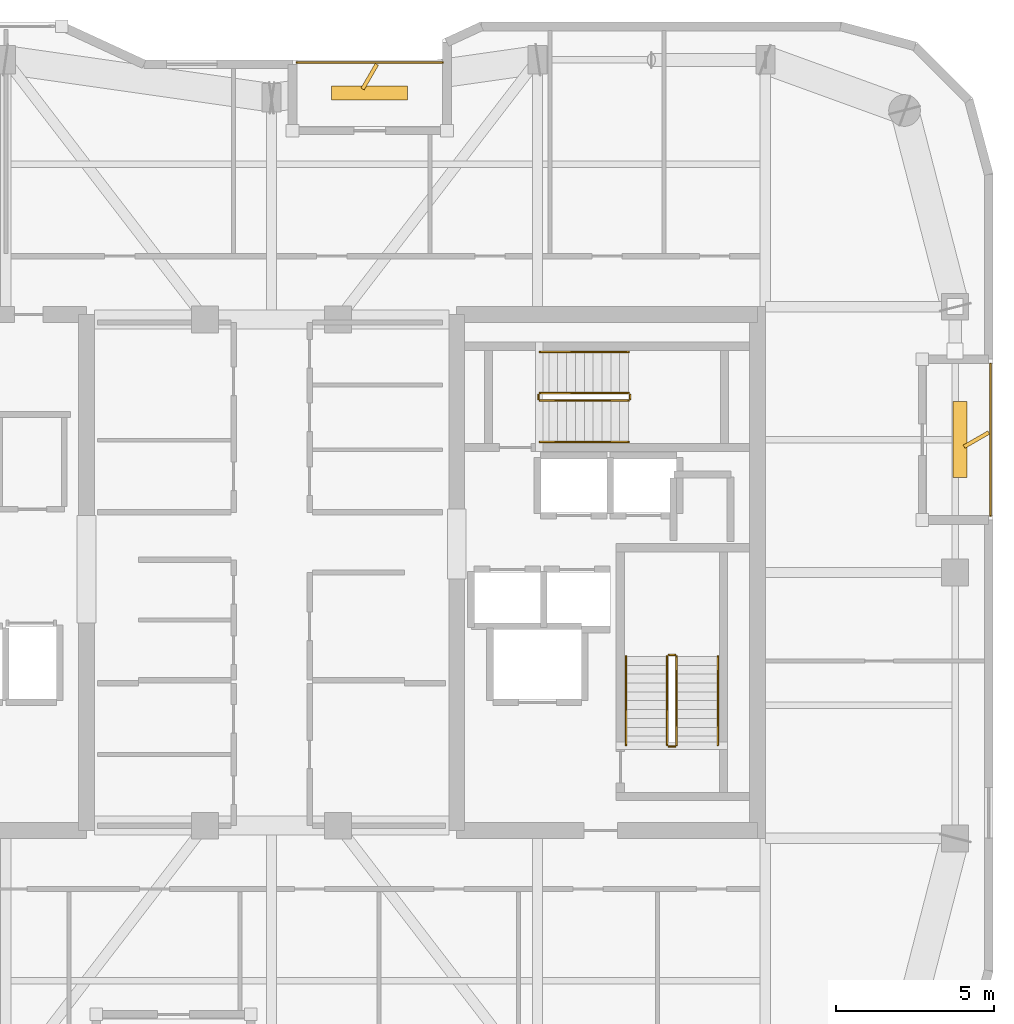
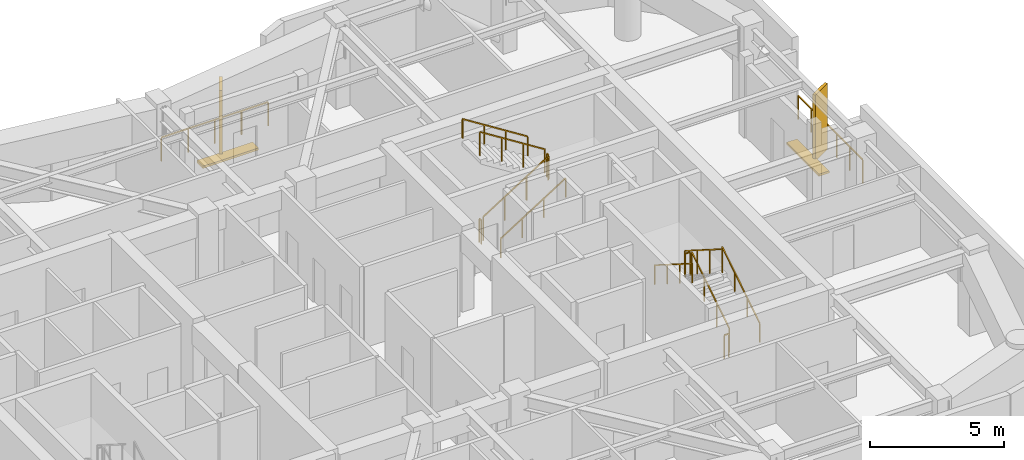
# One storey, part 16 of 16: 14 railings, 4 shading devices.
"""IFC4 building model written with IfcOpenShell, lengths in metres."""

from ifc_helpers import new_model, si_unit, direction, frame, origin, origin_2d, place, context, subcontext, project, spatial, rectangle, extrude, material, type_object, element, save


model = new_model("IFC4")

# Units and contexts
model_context = context("Model", 3, precision=1e-05, world=origin(), true_north=direction((0.0, 1.0)))
body_context = subcontext(model_context, "Body", "Model", "MODEL_VIEW")
ifc_project = project(units=[si_unit("LENGTHUNIT", "METRE"), si_unit("AREAUNIT", "SQUARE_METRE"), si_unit("VOLUMEUNIT", "CUBIC_METRE"), si_unit("PLANEANGLEUNIT", "RADIAN"), si_unit("MASSUNIT", "GRAM", prefix="KILO")], contexts=[model_context])

# Site, building, storey
site_placement = place(None, origin())
site = spatial("IfcSite", under=ifc_project, at=site_placement, CompositionType="ELEMENT")
building_placement = place(site_placement, origin())
building = spatial("IfcBuilding", under=site, at=building_placement, Name="Kiyonajd Concourse Tower", CompositionType="ELEMENT")
storey_placement = place(building_placement, frame((0.0, 0.0, 306.300048828125)))
storey = spatial("IfcBuildingStorey", under=building, at=storey_placement, Name="L77", CompositionType="ELEMENT", Elevation=306.300048828125)

# Railings
ifc_material_1 = material(Name="Thermally Broken Anodised Aluminium", Category="aluminium")
railing_type_1 = type_object("IfcRailingType", Name="RL-GRD-LOG", PredefinedType="GUARDRAIL", material=ifc_material_1)
railing_1_placement = place(storey_placement, frame((53.39990234375, 52.1201171875, 0.0)))
element("IfcRailing", 1, at=railing_1_placement, inside=storey, type_object=railing_type_1, Name="L77 Engawa Loggia Perimeter Guard LOG-N", PredefinedType="GUARDRAIL", context=body_context, shape_type="SweptSolid", body=[
    extrude(rectangle(XDim=0.048095703125, YDim=0.048095703125, at=origin_2d()), frame((0.0, 0.0, 1.076171875), z_axis=(-1.0, 0.0, 0.0), x_axis=(0.0, -1.0, 0.0)), (0.0, 0.0, 1.0), 4.599853515625),
    extrude(rectangle(XDim=0.0419921875, YDim=0.0419921875, at=origin_2d()), origin(), (0.0, 0.0, 1.0), 1.052001953125),
    extrude(rectangle(XDim=0.0419921875, YDim=0.0419921875, at=origin_2d()), frame((-1.14990234375, 0.0, 0.0)), (0.0, 0.0, 1.0), 1.052001953125),
    extrude(rectangle(XDim=0.0419921875, YDim=0.0419921875, at=origin_2d()), frame((-2.2998046875, 0.0, 0.0)), (0.0, 0.0, 1.0), 1.052001953125),
    extrude(rectangle(XDim=0.0419921875, YDim=0.0419921875, at=origin_2d()), frame((-3.449951171875, 0.0, 0.0)), (0.0, 0.0, 1.0), 1.052001953125),
    extrude(rectangle(XDim=0.0419921875, YDim=0.0419921875, at=origin_2d()), frame((-4.599853515625, 0.0, 0.0)), (0.0, 0.0, 1.0), 1.052001953125),
])
railing_2_placement = place(storey_placement, frame((70.719970703125, 37.800048828125, 0.0)))
element("IfcRailing", 2, at=railing_2_placement, inside=storey, type_object=railing_type_1, Name="L77 Engawa Loggia Perimeter Guard LOG-E", PredefinedType="GUARDRAIL", context=body_context, shape_type="SweptSolid", body=[
    extrude(rectangle(XDim=0.048095703125, YDim=0.048095703125, at=origin_2d()), frame((0.0, 0.0, 1.076171875), z_axis=(0.0, 1.0, 0.0), x_axis=(-1.0, 0.0, 0.0)), (0.0, 0.0, 1.0), 4.800048828125),
    extrude(rectangle(XDim=0.0419921875, YDim=0.0419921875, at=origin_2d()), origin(), (0.0, 0.0, 1.0), 1.052001953125),
    extrude(rectangle(XDim=0.0419921875, YDim=0.0419921875, at=origin_2d()), frame((0.0, 0.9599609375, 0.0)), (0.0, 0.0, 1.0), 1.052001953125),
    extrude(rectangle(XDim=0.0419921875, YDim=0.0419921875, at=origin_2d()), frame((0.0, 1.919921875, 0.0)), (0.0, 0.0, 1.0), 1.052001953125),
    extrude(rectangle(XDim=0.0419921875, YDim=0.0419921875, at=origin_2d()), frame((0.0, 2.880126953125, 0.0)), (0.0, 0.0, 1.0), 1.052001953125),
    extrude(rectangle(XDim=0.0419921875, YDim=0.0419921875, at=origin_2d()), frame((0.0, 3.840087890625, 0.0)), (0.0, 0.0, 1.0), 1.052001953125),
    extrude(rectangle(XDim=0.0419921875, YDim=0.0419921875, at=origin_2d()), frame((0.0, 4.800048828125, 0.0)), (0.0, 0.0, 1.0), 1.052001953125),
])
ifc_material_2 = material(Name="Steel ASTM A500 Grade C", Category="steel")
railing_type_2 = type_object("IfcRailingType", Name="RL-GRD-STR", PredefinedType="GUARDRAIL", material=ifc_material_2)
railing_3_placement = place(storey_placement, frame((60.800048828125, 30.550048828125, 0.17724609375)))
element("IfcRailing", 3, at=railing_3_placement, inside=storey, type_object=railing_type_2, Name="L77 ST2 stair guard 1", PredefinedType="GUARDRAIL", context=body_context, shape_type="SweptSolid", body=[
    extrude(rectangle(XDim=0.048095703125, YDim=0.048095703125, at=origin_2d()), frame((0.0, 0.0, 1.076171875), z_axis=(0.0, 0.844908973607, 0.534910110503), x_axis=(-1.0, 0.0, 0.0)), (0.0, 0.0, 1.0), 3.31396484375),
    extrude(rectangle(XDim=0.0419921875, YDim=0.0419921875, at=origin_2d()), origin(), (0.0, 0.0, 1.0), 1.052001953125),
    extrude(rectangle(XDim=0.0419921875, YDim=0.0419921875, at=origin_2d()), frame((0.0, 0.933349609375, 0.5908203125)), (0.0, 0.0, 1.0), 1.052001953125),
    extrude(rectangle(XDim=0.0419921875, YDim=0.0419921875, at=origin_2d()), frame((0.0, 1.86669921875, 1.181884765625)), (0.0, 0.0, 1.0), 1.052001953125),
    extrude(rectangle(XDim=0.0419921875, YDim=0.0419921875, at=origin_2d()), frame((0.0, 2.800048828125, 1.772705078125)), (0.0, 0.0, 1.0), 1.052001953125),
])
railing_4_placement = place(storey_placement, frame((60.75, 33.39990234375, 1.949951171875)))
element("IfcRailing", 4, at=railing_4_placement, inside=storey, type_object=railing_type_2, Name="L77 ST2 stair guard 2", PredefinedType="GUARDRAIL", context=body_context, shape_type="SweptSolid", body=[
    extrude(rectangle(XDim=0.048095703125, YDim=0.048095703125, at=origin_2d()), frame((0.0, 0.0, 1.076171875), z_axis=(-1.0, 0.0, 0.0), x_axis=(0.0, -1.0, 0.0)), (0.0, 0.0, 1.0), 0.199951171875),
    extrude(rectangle(XDim=0.0419921875, YDim=0.0419921875, at=origin_2d()), origin(), (0.0, 0.0, 1.0), 1.052001953125),
    extrude(rectangle(XDim=0.0419921875, YDim=0.0419921875, at=origin_2d()), frame((-0.199951171875, 0.0, 0.0)), (0.0, 0.0, 1.0), 1.052001953125),
])
railing_5_placement = place(storey_placement, frame((60.5, 33.35009765625, 2.127197265625)))
element("IfcRailing", 5, at=railing_5_placement, inside=storey, type_object=railing_type_2, Name="L77 ST2 stair guard 3", PredefinedType="GUARDRAIL", context=body_context, shape_type="SweptSolid", body=[
    extrude(rectangle(XDim=0.048095703125, YDim=0.048095703125, at=origin_2d()), frame((0.0, 0.0, 1.076171875), z_axis=(0.0, -0.844908973607, 0.534910110503), x_axis=(1.0, 0.0, 0.0)), (0.0, 0.0, 1.0), 3.31396484375),
    extrude(rectangle(XDim=0.0419921875, YDim=0.0419921875, at=origin_2d()), origin(), (0.0, 0.0, 1.0), 1.052001953125),
    extrude(rectangle(XDim=0.0419921875, YDim=0.0419921875, at=origin_2d()), frame((0.0, -0.933349609375, 0.5908203125)), (0.0, 0.0, 1.0), 1.052001953125),
    extrude(rectangle(XDim=0.0419921875, YDim=0.0419921875, at=origin_2d()), frame((0.0, -1.86669921875, 1.181884765625)), (0.0, 0.0, 1.0), 1.052001953125),
    extrude(rectangle(XDim=0.0419921875, YDim=0.0419921875, at=origin_2d()), frame((0.0, -2.800048828125, 1.772705078125)), (0.0, 0.0, 1.0), 1.052001953125),
])
railing_6_placement = place(storey_placement, frame((60.75, 30.5, 0.0)))
element("IfcRailing", 6, at=railing_6_placement, inside=storey, type_object=railing_type_2, Name="L77 ST2 stair guard 4", PredefinedType="GUARDRAIL", context=body_context, shape_type="SweptSolid", body=[
    extrude(rectangle(XDim=0.048095703125, YDim=0.048095703125, at=origin_2d()), frame((0.0, 0.0, 1.076171875), z_axis=(-1.0, 0.0, 0.0), x_axis=(0.0, -1.0, 0.0)), (0.0, 0.0, 1.0), 0.199951171875),
    extrude(rectangle(XDim=0.0419921875, YDim=0.0419921875, at=origin_2d()), origin(), (0.0, 0.0, 1.0), 1.052001953125),
    extrude(rectangle(XDim=0.0419921875, YDim=0.0419921875, at=origin_2d()), frame((-0.199951171875, 0.0, 0.0)), (0.0, 0.0, 1.0), 1.052001953125),
])
railing_7_placement = place(storey_placement, frame((56.47998046875, 41.429931640625, 0.17724609375)))
element("IfcRailing", 7, at=railing_7_placement, inside=storey, type_object=railing_type_2, Name="L77 ST3 stair guard 1", PredefinedType="GUARDRAIL", context=body_context, shape_type="SweptSolid", body=[
    extrude(rectangle(XDim=0.048095703125, YDim=0.048095703125, at=origin_2d()), frame((0.0, 0.0, 1.076171875), z_axis=(0.844908973607, 0.0, 0.534910110503), x_axis=(0.0, 1.0, 0.0)), (0.0, 0.0, 1.0), 3.31396484375),
    extrude(rectangle(XDim=0.0419921875, YDim=0.0419921875, at=origin_2d()), origin(), (0.0, 0.0, 1.0), 1.052001953125),
    extrude(rectangle(XDim=0.0419921875, YDim=0.0419921875, at=origin_2d()), frame((0.933349609375, 0.0, 0.5908203125)), (0.0, 0.0, 1.0), 1.052001953125),
    extrude(rectangle(XDim=0.0419921875, YDim=0.0419921875, at=origin_2d()), frame((1.86669921875, 0.0, 1.181884765625)), (0.0, 0.0, 1.0), 1.052001953125),
    extrude(rectangle(XDim=0.0419921875, YDim=0.0419921875, at=origin_2d()), frame((2.800048828125, 0.0, 1.772705078125)), (0.0, 0.0, 1.0), 1.052001953125),
])
railing_8_placement = place(storey_placement, frame((59.330078125, 41.47998046875, 1.949951171875)))
element("IfcRailing", 8, at=railing_8_placement, inside=storey, type_object=railing_type_2, Name="L77 ST3 stair guard 2", PredefinedType="GUARDRAIL", context=body_context, shape_type="SweptSolid", body=[
    extrude(rectangle(XDim=0.048095703125, YDim=0.048095703125, at=origin_2d()), frame((0.0, 0.0, 1.076171875), z_axis=(0.0, 1.0, 0.0), x_axis=(-1.0, 0.0, 0.0)), (0.0, 0.0, 1.0), 0.14013671875),
    extrude(rectangle(XDim=0.0419921875, YDim=0.0419921875, at=origin_2d()), origin(), (0.0, 0.0, 1.0), 1.052001953125),
    extrude(rectangle(XDim=0.0419921875, YDim=0.0419921875, at=origin_2d()), frame((0.0, 0.14013671875, 0.0)), (0.0, 0.0, 1.0), 1.052001953125),
])
railing_9_placement = place(storey_placement, frame((59.280029296875, 41.669921875, 2.127197265625)))
element("IfcRailing", 9, at=railing_9_placement, inside=storey, type_object=railing_type_2, Name="L77 ST3 stair guard 3", PredefinedType="GUARDRAIL", context=body_context, shape_type="SweptSolid", body=[
    extrude(rectangle(XDim=0.048095703125, YDim=0.048095703125, at=origin_2d()), frame((0.0, 0.0, 1.076171875), z_axis=(-0.844908973607, 0.0, 0.534910110503), x_axis=(0.0, -1.0, 0.0)), (0.0, 0.0, 1.0), 3.31396484375),
    extrude(rectangle(XDim=0.0419921875, YDim=0.0419921875, at=origin_2d()), origin(), (0.0, 0.0, 1.0), 1.052001953125),
    extrude(rectangle(XDim=0.0419921875, YDim=0.0419921875, at=origin_2d()), frame((-0.933349609375, 0.0, 0.5908203125)), (0.0, 0.0, 1.0), 1.052001953125),
    extrude(rectangle(XDim=0.0419921875, YDim=0.0419921875, at=origin_2d()), frame((-1.86669921875, 0.0, 1.181884765625)), (0.0, 0.0, 1.0), 1.052001953125),
    extrude(rectangle(XDim=0.0419921875, YDim=0.0419921875, at=origin_2d()), frame((-2.800048828125, 0.0, 1.772705078125)), (0.0, 0.0, 1.0), 1.052001953125),
])
railing_10_placement = place(storey_placement, frame((56.429931640625, 41.47998046875, 0.0)))
element("IfcRailing", 10, at=railing_10_placement, inside=storey, type_object=railing_type_2, Name="L77 ST3 stair guard 4", PredefinedType="GUARDRAIL", context=body_context, shape_type="SweptSolid", body=[
    extrude(rectangle(XDim=0.048095703125, YDim=0.048095703125, at=origin_2d()), frame((0.0, 0.0, 1.076171875), z_axis=(0.0, 1.0, 0.0), x_axis=(-1.0, 0.0, 0.0)), (0.0, 0.0, 1.0), 0.14013671875),
    extrude(rectangle(XDim=0.0419921875, YDim=0.0419921875, at=origin_2d()), origin(), (0.0, 0.0, 1.0), 1.052001953125),
    extrude(rectangle(XDim=0.0419921875, YDim=0.0419921875, at=origin_2d()), frame((0.0, 0.14013671875, 0.0)), (0.0, 0.0, 1.0), 1.052001953125),
])
ifc_material_3 = material(Name="Brushed Stainless Steel Cab Assembly", Category="steel")
railing_type_3 = type_object("IfcRailingType", Name="RL-HND-900", PredefinedType="HANDRAIL", material=ifc_material_3)
railing_11_placement = place(storey_placement, frame((62.10009765625, 30.550048828125, 0.17724609375)))
element("IfcRailing", 11, at=railing_11_placement, inside=storey, type_object=railing_type_3, Name="L77 ST2 stair handrail 1", PredefinedType="HANDRAIL", context=body_context, shape_type="SweptSolid", body=[
    extrude(rectangle(XDim=0.048095703125, YDim=0.048095703125, at=origin_2d()), frame((0.0, 0.0, 0.8759765625), z_axis=(0.0, 0.844908973607, 0.534910110503), x_axis=(-1.0, 0.0, 0.0)), (0.0, 0.0, 1.0), 3.31396484375),
    extrude(rectangle(XDim=0.0419921875, YDim=0.0419921875, at=origin_2d()), origin(), (0.0, 0.0, 1.0), 0.851806640625),
    extrude(rectangle(XDim=0.0419921875, YDim=0.0419921875, at=origin_2d()), frame((0.0, 0.933349609375, 0.5908203125)), (0.0, 0.0, 1.0), 0.851806640625),
    extrude(rectangle(XDim=0.0419921875, YDim=0.0419921875, at=origin_2d()), frame((0.0, 1.86669921875, 1.181884765625)), (0.0, 0.0, 1.0), 0.851806640625),
    extrude(rectangle(XDim=0.0419921875, YDim=0.0419921875, at=origin_2d()), frame((0.0, 2.800048828125, 1.772705078125)), (0.0, 0.0, 1.0), 0.851806640625),
])
railing_12_placement = place(storey_placement, frame((59.199951171875, 33.35009765625, 2.127197265625)))
element("IfcRailing", 12, at=railing_12_placement, inside=storey, type_object=railing_type_3, Name="L77 ST2 stair handrail 2", PredefinedType="HANDRAIL", context=body_context, shape_type="SweptSolid", body=[
    extrude(rectangle(XDim=0.048095703125, YDim=0.048095703125, at=origin_2d()), frame((0.0, 0.0, 0.8759765625), z_axis=(0.0, -0.844908973607, 0.534910110503), x_axis=(1.0, 0.0, 0.0)), (0.0, 0.0, 1.0), 3.31396484375),
    extrude(rectangle(XDim=0.0419921875, YDim=0.0419921875, at=origin_2d()), origin(), (0.0, 0.0, 1.0), 0.851806640625),
    extrude(rectangle(XDim=0.0419921875, YDim=0.0419921875, at=origin_2d()), frame((0.0, -0.933349609375, 0.5908203125)), (0.0, 0.0, 1.0), 0.851806640625),
    extrude(rectangle(XDim=0.0419921875, YDim=0.0419921875, at=origin_2d()), frame((0.0, -1.86669921875, 1.181884765625)), (0.0, 0.0, 1.0), 0.851806640625),
    extrude(rectangle(XDim=0.0419921875, YDim=0.0419921875, at=origin_2d()), frame((0.0, -2.800048828125, 1.772705078125)), (0.0, 0.0, 1.0), 0.851806640625),
])
railing_13_placement = place(storey_placement, frame((56.47998046875, 40.1298828125, 0.17724609375)))
element("IfcRailing", 13, at=railing_13_placement, inside=storey, type_object=railing_type_3, Name="L77 ST3 stair handrail 1", PredefinedType="HANDRAIL", context=body_context, shape_type="SweptSolid", body=[
    extrude(rectangle(XDim=0.048095703125, YDim=0.048095703125, at=origin_2d()), frame((0.0, 0.0, 0.8759765625), z_axis=(0.844908973607, 0.0, 0.534910110503), x_axis=(0.0, 1.0, 0.0)), (0.0, 0.0, 1.0), 3.31396484375),
    extrude(rectangle(XDim=0.0419921875, YDim=0.0419921875, at=origin_2d()), origin(), (0.0, 0.0, 1.0), 0.851806640625),
    extrude(rectangle(XDim=0.0419921875, YDim=0.0419921875, at=origin_2d()), frame((0.933349609375, 0.0, 0.5908203125)), (0.0, 0.0, 1.0), 0.851806640625),
    extrude(rectangle(XDim=0.0419921875, YDim=0.0419921875, at=origin_2d()), frame((1.86669921875, 0.0, 1.181884765625)), (0.0, 0.0, 1.0), 0.851806640625),
    extrude(rectangle(XDim=0.0419921875, YDim=0.0419921875, at=origin_2d()), frame((2.800048828125, 0.0, 1.772705078125)), (0.0, 0.0, 1.0), 0.851806640625),
])
railing_14_placement = place(storey_placement, frame((59.280029296875, 42.969970703125, 2.127197265625)))
element("IfcRailing", 14, at=railing_14_placement, inside=storey, type_object=railing_type_3, Name="L77 ST3 stair handrail 2", PredefinedType="HANDRAIL", context=body_context, shape_type="SweptSolid", body=[
    extrude(rectangle(XDim=0.048095703125, YDim=0.048095703125, at=origin_2d()), frame((0.0, 0.0, 0.8759765625), z_axis=(-0.844908973607, 0.0, 0.534910110503), x_axis=(0.0, -1.0, 0.0)), (0.0, 0.0, 1.0), 3.31396484375),
    extrude(rectangle(XDim=0.0419921875, YDim=0.0419921875, at=origin_2d()), origin(), (0.0, 0.0, 1.0), 0.851806640625),
    extrude(rectangle(XDim=0.0419921875, YDim=0.0419921875, at=origin_2d()), frame((-0.933349609375, 0.0, 0.5908203125)), (0.0, 0.0, 1.0), 0.851806640625),
    extrude(rectangle(XDim=0.0419921875, YDim=0.0419921875, at=origin_2d()), frame((-1.86669921875, 0.0, 1.181884765625)), (0.0, 0.0, 1.0), 0.851806640625),
    extrude(rectangle(XDim=0.0419921875, YDim=0.0419921875, at=origin_2d()), frame((-2.800048828125, 0.0, 1.772705078125)), (0.0, 0.0, 1.0), 0.851806640625),
])

# Shading devices
ifc_material_4 = material(Name="Precast concrete C50/60", Category="concrete")
shading_device_type_1 = type_object("IfcShadingDeviceType", Name="SH-FIN-900", PredefinedType="USERDEFINED", material=ifc_material_4)
for number, where, z_axis, x_axis, name in (
    (15, (51.10009765625, 51.669921875, 0.0), (0.0, 0.0, 1.0), (0.5, 0.866025403784, 0.0), "L77 Angled Koshi Solar Fin LOG-N"),
    (16, (70.27001953125, 40.199951171875, 0.0), (0.0, 0.0, 1.0), (0.866025403784, 0.5, 0.0), "L77 Angled Koshi Solar Fin LOG-E"),
):
    element("IfcShadingDevice", number, at=place(storey_placement, frame(where, z_axis=z_axis, x_axis=x_axis)), inside=storey, type_object=shading_device_type_1, Name=name, ObjectType="FIN", PredefinedType="USERDEFINED", context=body_context, shape_type="SweptSolid", body=[
        extrude(rectangle(XDim=0.89990234375, YDim=0.1201171875, at=origin_2d()), origin(), (0.0, 0.0, 1.0), 3.0),
    ])
shading_device_type_2 = type_object("IfcShadingDeviceType", Name="SH-LVR-600", PredefinedType="JALOUSIE", material=ifc_material_1)
for number, where, z_axis, x_axis, name in (
    (17, (51.10009765625, 51.14990234375, 0.0), (0.0, 0.0, 1.0), (1.0, 0.0, 0.0), "L77 Loggia Threshold Louver LOG-N"),
    (18, (69.75, 40.199951171875, 0.0), (0.0, 0.0, 1.0), (0.0, 1.0, 0.0), "L77 Loggia Threshold Louver LOG-E"),
):
    element("IfcShadingDevice", number, at=place(storey_placement, frame(where, z_axis=z_axis, x_axis=x_axis)), inside=storey, type_object=shading_device_type_2, Name=name, PredefinedType="JALOUSIE", context=body_context, shape_type="SweptSolid", body=[
        extrude(rectangle(XDim=2.39990234375, YDim=0.449951171875, at=origin_2d()), origin(), (0.0, 0.0, 1.0), 0.10009765625),
    ])

save(model, "model.ifc")
